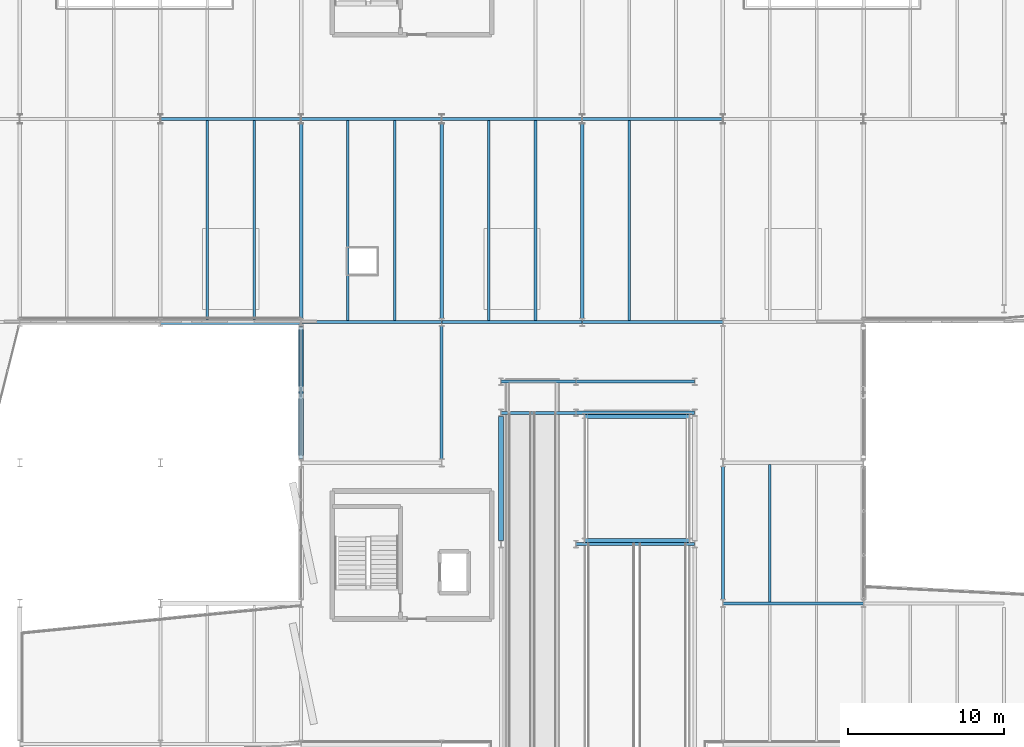
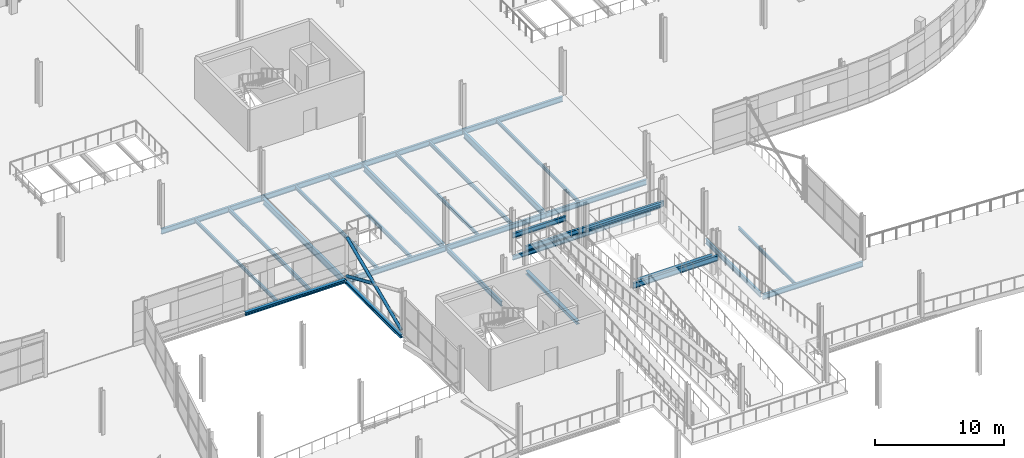
# One storey, part 73 of 135: 32 beams, 2 members.
"""IFC4 building model written with IfcOpenShell, lengths in metres."""

from ifc_helpers import new_model, si_unit, direction, frame, origin, origin_2d, place, context, subcontext, project, spatial, hollow_circle, i_section, extrude, material, material_profile, profile_set, type_object, element, save


model = new_model("IFC4")

# Units and contexts
model_context = context("Model", 3, precision=1e-05, world=origin(), true_north=direction((0.0, 1.0)))
body_context = subcontext(model_context, "Body", "Model", "MODEL_VIEW")
ifc_project = project(units=[si_unit("LENGTHUNIT", "METRE"), si_unit("AREAUNIT", "SQUARE_METRE"), si_unit("VOLUMEUNIT", "CUBIC_METRE"), si_unit("PLANEANGLEUNIT", "RADIAN"), si_unit("MASSUNIT", "GRAM", prefix="KILO")], contexts=[model_context])

# Site, building, storey
site_placement = place(None, origin())
site = spatial("IfcSite", under=ifc_project, at=site_placement, CompositionType="ELEMENT")
building_placement = place(site_placement, origin())
building = spatial("IfcBuilding", under=site, at=building_placement, Name="Deido Ridge Mobility Hub", CompositionType="ELEMENT")
storey_placement = place(building_placement, frame((0.0, 0.0, 4.199951171875)))
storey = spatial("IfcBuildingStorey", under=building, at=storey_placement, Name="L01", CompositionType="ELEMENT", Elevation=4.199951171875)

# Beams
ifc_material_1 = material(Name="Steel S355J2 EN 10025-2", Category="steel")
ifc_material_profile_1 = material_profile(ifc_material_1, i_section(OverallWidth=0.300048828125, OverallDepth=0.330078125, WebThickness=0.009521484375, FlangeThickness=0.0166015625, FilletRadius=0.027099609375, at=origin_2d()), Name="HEA 340")
ifc_profile_set_1 = profile_set([ifc_material_profile_1], Name="Steel S355J2 EN 10025-2")
beam_type_1 = type_object("IfcBeamType", Name="BM-HEA340", PredefinedType="BEAM", material=ifc_profile_set_1)
beam_1_placement = place(storey_placement, frame((84.800048828125, 67.02490234375, -0.4150390625), z_axis=(0.0, 1.0, 0.0), x_axis=(-1.0, 0.0, 0.0)))
element("IfcBeam", 1, at=beam_1_placement, inside=storey, type_object=beam_type_1, Name="Floor beam B6", PredefinedType="BEAM", context=body_context, shape_type="SweptSolid", body=[
    extrude(i_section(OverallWidth=0.300048828125, OverallDepth=0.330078125, WebThickness=0.009521484375, FlangeThickness=0.0166015625, FilletRadius=0.027099609375, at=origin_2d()), origin(), (0.0, 0.0, 1.0), 7.9501953125),
])
for number, where, z_axis, x_axis, name in (
    (2, (90.14990234375, 67.0, 1.7099609375), (1.0, 0.0, 0.0), (0.0, 1.0, 0.0), "Vehicle ramp half-landing trimmer beam L01"),
    (3, (90.14990234375, 75.0, 1.7099609375), (1.0, 0.0, 0.0), (0.0, 1.0, 0.0), "Vehicle ramp half-landing trimmer beam L01"),
):
    element("IfcBeam", number, at=place(storey_placement, frame(where, z_axis=z_axis, x_axis=x_axis)), inside=storey, type_object=beam_type_1, Name=name, PredefinedType="BEAM", context=body_context, shape_type="SweptSolid", body=[
        extrude(i_section(OverallWidth=0.300048828125, OverallDepth=0.330078125, WebThickness=0.009521484375, FlangeThickness=0.0166015625, FilletRadius=0.027099609375, at=origin_2d()), origin(), (0.0, 0.0, 1.0), 6.7001953125),
    ])
ifc_material_profile_2 = material_profile(ifc_material_1, i_section(OverallWidth=0.179931640625, OverallDepth=0.39990234375, WebThickness=0.008544921875, FlangeThickness=0.013427734375, FilletRadius=0.02099609375, at=origin_2d()), Name="IPE 400")
ifc_profile_set_2 = profile_set([ifc_material_profile_2], Name="Steel S355J2 EN 10025-2")
beam_type_2 = type_object("IfcBeamType", Name="BM-IPE400", PredefinedType="BEAM", material=ifc_profile_set_2)
beam_2_placement = place(storey_placement, frame((84.806884765625, 77.199951171875, -0.449951171875), z_axis=(1.0, 0.0, 0.0), x_axis=(0.0, 1.0, 0.0)))
element("IfcBeam", 4, at=beam_2_placement, inside=storey, type_object=beam_type_2, Name="Floor beam B5", PredefinedType="BEAM", context=body_context, shape_type="SweptSolid", body=[
    extrude(i_section(OverallWidth=0.179931640625, OverallDepth=0.39990234375, WebThickness=0.008544921875, FlangeThickness=0.013427734375, FilletRadius=0.02099609375, at=origin_2d()), origin(), (0.0, 0.0, 1.0), 4.7861328125),
])
beam_3_placement = place(storey_placement, frame((89.60693359375, 77.199951171875, -0.449951171875), z_axis=(1.0, 0.0, 0.0), x_axis=(0.0, 1.0, 0.0)))
element("IfcBeam", 5, at=beam_3_placement, inside=storey, type_object=beam_type_2, Name="Floor beam B5", PredefinedType="BEAM", context=body_context, shape_type="SweptSolid", body=[
    extrude(i_section(OverallWidth=0.179931640625, OverallDepth=0.39990234375, WebThickness=0.008544921875, FlangeThickness=0.013427734375, FilletRadius=0.02099609375, at=origin_2d()), origin(), (0.0, 0.0, 1.0), 7.586181640625),
])
ifc_material_profile_3 = material_profile(ifc_material_1, i_section(OverallWidth=0.18994140625, OverallDepth=0.449951171875, WebThickness=0.009521484375, FlangeThickness=0.0146484375, FilletRadius=0.02099609375, at=origin_2d()), Name="IPE 450")
ifc_profile_set_3 = profile_set([ifc_material_profile_3], Name="Steel S355J2 EN 10025-2")
beam_type_3 = type_object("IfcBeamType", Name="BM-IPE450", PredefinedType="BEAM", material=ifc_profile_set_3)
for number, where, z_axis, x_axis, name in (
    (6, (81.0, 72.25, -0.474853515625), (0.0, 1.0, 0.0), (-1.0, 0.0, 0.0), "Floor beam B4"),
    (7, (99.0, 63.25, -0.474853515625), (0.0, 1.0, 0.0), (-1.0, 0.0, 0.0), "Floor beam B4"),
):
    element("IfcBeam", number, at=place(storey_placement, frame(where, z_axis=z_axis, x_axis=x_axis)), inside=storey, type_object=beam_type_3, Name=name, PredefinedType="BEAM", context=body_context, shape_type="SweptSolid", body=[
        extrude(i_section(OverallWidth=0.18994140625, OverallDepth=0.449951171875, WebThickness=0.009521484375, FlangeThickness=0.0146484375, FilletRadius=0.02099609375, at=origin_2d()), origin(), (0.0, 0.0, 1.0), 8.5),
    ])
for number, where, z_axis, x_axis, name in (
    (8, (84.805908203125, 75.199951171875, 1.66015625), (1.0, 0.0, 0.0), (0.0, 1.0, 0.0), "Ramp landing beam B4"),
    (9, (84.805908203125, 77.199951171875, 1.66015625), (1.0, 0.0, 0.0), (0.0, 1.0, 0.0), "Ramp landing beam B4"),
):
    element("IfcBeam", number, at=place(storey_placement, frame(where, z_axis=z_axis, x_axis=x_axis)), inside=storey, type_object=beam_type_3, Name=name, PredefinedType="BEAM", context=body_context, shape_type="SweptSolid", body=[
        extrude(i_section(OverallWidth=0.18994140625, OverallDepth=0.449951171875, WebThickness=0.009521484375, FlangeThickness=0.0146484375, FilletRadius=0.02099609375, at=origin_2d()), origin(), (0.0, 0.0, 1.0), 4.7880859375),
    ])
ifc_material_profile_4 = material_profile(ifc_material_1, i_section(OverallWidth=0.199951171875, OverallDepth=0.5, WebThickness=0.01025390625, FlangeThickness=0.01611328125, FilletRadius=0.02099609375, at=origin_2d()), Name="IPE 500")
ifc_profile_set_4 = profile_set([ifc_material_profile_4], Name="Steel S355J2 EN 10025-2")
beam_type_4 = type_object("IfcBeamType", Name="BM-IPE500", PredefinedType="BEAM", material=ifc_profile_set_4)
for number, where, z_axis, x_axis, name in (
    (10, (99.007080078125, 63.0, -0.5), (1.0, 0.0, 0.0), (0.0, 1.0, 0.0), "Floor beam B3"),
    (11, (72.007080078125, 81.0, -0.5), (1.0, 0.0, 0.0), (0.0, 1.0, 0.0), "Floor beam B3"),
    (12, (81.007080078125, 81.0, -0.5), (1.0, 0.0, 0.0), (0.0, 1.0, 0.0), "Floor beam B3"),
    (13, (90.007080078125, 81.0, -0.5), (1.0, 0.0, 0.0), (0.0, 1.0, 0.0), "Floor beam B3"),
):
    element("IfcBeam", number, at=place(storey_placement, frame(where, z_axis=z_axis, x_axis=x_axis)), inside=storey, type_object=beam_type_4, Name=name, PredefinedType="BEAM", context=body_context, shape_type="SweptSolid", body=[
        extrude(i_section(OverallWidth=0.199951171875, OverallDepth=0.5, WebThickness=0.01025390625, FlangeThickness=0.01611328125, FilletRadius=0.02099609375, at=origin_2d()), origin(), (0.0, 0.0, 1.0), 8.98583984375),
    ])
for number, where, z_axis, x_axis, name in (
    (14, (63.0078125, 94.0, -0.5), (1.0, 0.0, 0.0), (0.0, 1.0, 0.0), "Floor beam B3"),
    (15, (72.0078125, 94.0, -0.5), (1.0, 0.0, 0.0), (0.0, 1.0, 0.0), "Floor beam B3"),
    (16, (81.0078125, 94.0, -0.5), (1.0, 0.0, 0.0), (0.0, 1.0, 0.0), "Floor beam B3"),
    (17, (90.0078125, 94.0, -0.5), (1.0, 0.0, 0.0), (0.0, 1.0, 0.0), "Floor beam B3"),
):
    element("IfcBeam", number, at=place(storey_placement, frame(where, z_axis=z_axis, x_axis=x_axis)), inside=storey, type_object=beam_type_4, Name=name, PredefinedType="BEAM", context=body_context, shape_type="SweptSolid", body=[
        extrude(i_section(OverallWidth=0.199951171875, OverallDepth=0.5, WebThickness=0.01025390625, FlangeThickness=0.01611328125, FilletRadius=0.02099609375, at=origin_2d()), origin(), (0.0, 0.0, 1.0), 8.984375),
    ])
for number, where, z_axis, x_axis, name in (
    (18, (89.60595703125, 66.800048828125, 1.550048828125), (1.0, 0.0, 0.0), (0.0, 1.0, 0.0), "Ramp landing beam B3"),
    (19, (89.60595703125, 75.199951171875, 1.625), (1.0, 0.0, 0.0), (0.0, 1.0, 0.0), "Ramp landing beam B3"),
):
    element("IfcBeam", number, at=place(storey_placement, frame(where, z_axis=z_axis, x_axis=x_axis)), inside=storey, type_object=beam_type_4, Name=name, PredefinedType="BEAM", context=body_context, shape_type="SweptSolid", body=[
        extrude(i_section(OverallWidth=0.199951171875, OverallDepth=0.5, WebThickness=0.01025390625, FlangeThickness=0.01611328125, FilletRadius=0.02099609375, at=origin_2d()), origin(), (0.0, 0.0, 1.0), 7.588134765625),
    ])
ifc_material_profile_5 = material_profile(ifc_material_1, i_section(OverallWidth=0.219970703125, OverallDepth=0.60009765625, WebThickness=0.011962890625, FlangeThickness=0.01904296875, FilletRadius=0.02392578125, at=origin_2d()), Name="IPE 600")
ifc_profile_set_5 = profile_set([ifc_material_profile_5], Name="Steel S355J2 EN 10025-2")
beam_type_5 = type_object("IfcBeamType", Name="BM-IPE600", PredefinedType="BEAM", material=ifc_profile_set_5)
for number, where, z_axis, x_axis, name in (
    (20, (72.0, 81.25, -0.550048828125), (0.0, 1.0, 0.0), (-1.0, 0.0, 0.0), "Floor beam B1"),
    (21, (81.0, 81.25, -0.550048828125), (0.0, 1.0, 0.0), (-1.0, 0.0, 0.0), "Floor beam B1"),
    (22, (90.0, 81.25, -0.550048828125), (0.0, 1.0, 0.0), (-1.0, 0.0, 0.0), "Floor beam B1"),
):
    element("IfcBeam", number, at=place(storey_placement, frame(where, z_axis=z_axis, x_axis=x_axis)), inside=storey, type_object=beam_type_5, Name=name, PredefinedType="BEAM", context=body_context, shape_type="SweptSolid", body=[
        extrude(i_section(OverallWidth=0.219970703125, OverallDepth=0.60009765625, WebThickness=0.011962890625, FlangeThickness=0.01904296875, FilletRadius=0.02392578125, at=origin_2d()), origin(), (0.0, 0.0, 1.0), 12.449951171875),
    ])
ifc_material_profile_6 = material_profile(ifc_material_1, i_section(OverallWidth=0.14990234375, OverallDepth=0.300048828125, WebThickness=0.007080078125, FlangeThickness=0.0107421875, FilletRadius=0.014892578125, at=origin_2d()), Name="IPE 300")
ifc_profile_set_6 = profile_set([ifc_material_profile_6], Name="Steel S355J2 EN 10025-2")
beam_type_6 = type_object("IfcBeamType", Name="JST-IPE300", PredefinedType="JOIST", material=ifc_profile_set_6)
beam_4_placement = place(storey_placement, frame((102.0, 63.10009765625, -0.39990234375), z_axis=(0.0, 1.0, 0.0), x_axis=(-1.0, 0.0, 0.0)))
element("IfcBeam", 23, at=beam_4_placement, inside=storey, type_object=beam_type_6, Name="Composite joist J3", PredefinedType="JOIST", context=body_context, shape_type="SweptSolid", body=[
    extrude(i_section(OverallWidth=0.14990234375, OverallDepth=0.300048828125, WebThickness=0.007080078125, FlangeThickness=0.0107421875, FilletRadius=0.014892578125, at=origin_2d()), origin(), (0.0, 0.0, 1.0), 8.7998046875),
])
ifc_material_profile_7 = material_profile(ifc_material_1, i_section(OverallWidth=0.159912109375, OverallDepth=0.330078125, WebThickness=0.007568359375, FlangeThickness=0.011474609375, FilletRadius=0.01806640625, at=origin_2d()), Name="IPE 330")
ifc_profile_set_7 = profile_set([ifc_material_profile_7], Name="Steel S355J2 EN 10025-2")
beam_type_7 = type_object("IfcBeamType", Name="JST-IPE330", PredefinedType="JOIST", material=ifc_profile_set_7)
beam_5_placement = place(storey_placement, frame((66.0, 81.14990234375, -0.4150390625), z_axis=(0.0, 1.0, 0.0), x_axis=(-1.0, 0.0, 0.0)))
element("IfcBeam", 24, at=beam_5_placement, inside=storey, type_object=beam_type_7, Name="Composite joist J2", PredefinedType="JOIST", context=body_context, shape_type="SweptSolid", body=[
    extrude(i_section(OverallWidth=0.159912109375, OverallDepth=0.330078125, WebThickness=0.007568359375, FlangeThickness=0.011474609375, FilletRadius=0.01806640625, at=origin_2d()), origin(), (0.0, 0.0, 1.0), 12.75),
])
for number, where, z_axis, x_axis, name in (
    (25, (75.0, 81.10009765625, -0.4150390625), (0.0, 1.0, 0.0), (-1.0, 0.0, 0.0), "Composite joist J2"),
    (26, (84.0, 81.10009765625, -0.4150390625), (0.0, 1.0, 0.0), (-1.0, 0.0, 0.0), "Composite joist J2"),
    (27, (93.0, 81.10009765625, -0.4150390625), (0.0, 1.0, 0.0), (-1.0, 0.0, 0.0), "Composite joist J2"),
):
    element("IfcBeam", number, at=place(storey_placement, frame(where, z_axis=z_axis, x_axis=x_axis)), inside=storey, type_object=beam_type_7, Name=name, PredefinedType="JOIST", context=body_context, shape_type="SweptSolid", body=[
        extrude(i_section(OverallWidth=0.159912109375, OverallDepth=0.330078125, WebThickness=0.007568359375, FlangeThickness=0.011474609375, FilletRadius=0.01806640625, at=origin_2d()), origin(), (0.0, 0.0, 1.0), 12.7998046875),
    ])
ifc_material_profile_8 = material_profile(ifc_material_1, i_section(OverallWidth=0.169921875, OverallDepth=0.360107421875, WebThickness=0.008056640625, FlangeThickness=0.0126953125, FilletRadius=0.01806640625, at=origin_2d()), Name="IPE 360")
ifc_profile_set_8 = profile_set([ifc_material_profile_8], Name="Steel S355J2 EN 10025-2")
beam_type_8 = type_object("IfcBeamType", Name="JST-IPE360", PredefinedType="JOIST", material=ifc_profile_set_8)
beam_6_placement = place(storey_placement, frame((69.0, 81.14990234375, -0.429931640625), z_axis=(0.0, 1.0, 0.0), x_axis=(-1.0, 0.0, 0.0)))
element("IfcBeam", 28, at=beam_6_placement, inside=storey, type_object=beam_type_8, Name="Composite joist J1", PredefinedType="JOIST", context=body_context, shape_type="SweptSolid", body=[
    extrude(i_section(OverallWidth=0.169921875, OverallDepth=0.360107421875, WebThickness=0.008056640625, FlangeThickness=0.0126953125, FilletRadius=0.01806640625, at=origin_2d()), origin(), (0.0, 0.0, 1.0), 12.75),
])
for number, where, z_axis, x_axis, name in (
    (29, (78.0, 81.10009765625, -0.429931640625), (0.0, 1.0, 0.0), (-1.0, 0.0, 0.0), "Composite joist J1"),
    (30, (87.0, 81.10009765625, -0.429931640625), (0.0, 1.0, 0.0), (-1.0, 0.0, 0.0), "Composite joist J1"),
):
    element("IfcBeam", number, at=place(storey_placement, frame(where, z_axis=z_axis, x_axis=x_axis)), inside=storey, type_object=beam_type_8, Name=name, PredefinedType="JOIST", context=body_context, shape_type="SweptSolid", body=[
        extrude(i_section(OverallWidth=0.169921875, OverallDepth=0.360107421875, WebThickness=0.008056640625, FlangeThickness=0.0126953125, FilletRadius=0.01806640625, at=origin_2d()), origin(), (0.0, 0.0, 1.0), 12.7998046875),
    ])

# Members
ifc_material_2 = material(Name="Steel S355J2H EN 10210-1", Category="steel")
ifc_material_profile_9 = material_profile(ifc_material_2, hollow_circle(Radius=0.136474609375, WallThickness=0.012451171875, at=origin_2d()), Name="CHS 273x12.5")
ifc_profile_set_9 = profile_set([ifc_material_profile_9], Name="Steel S355J2H EN 10210-1")
member_type = type_object("IfcMemberType", Name="MEM-BRC-CHS273", PredefinedType="BRACE", material=ifc_profile_set_9)
member_1_placement = place(storey_placement, frame((72.0, 72.300048828125, 0.179931640625), z_axis=(0.0, 0.91754849034, 0.397623902545), x_axis=(-1.0, 0.0, 0.0)))
element("IfcMember", 31, at=member_1_placement, inside=storey, type_object=member_type, Name="Continuous X-brace diagonal BR1", PredefinedType="BRACE", context=body_context, shape_type="SweptSolid", body=[
    extrude(hollow_circle(Radius=0.136474609375, WallThickness=0.012451171875, at=origin_2d()), origin(), (0.0, 0.0, 1.0), 9.15478515625),
])
member_2_placement = place(storey_placement, frame((72.0, 80.699951171875, 0.179931640625), z_axis=(0.0, -0.917550833654, 0.397618495119), x_axis=(1.0, 0.0, 0.0)))
element("IfcMember", 32, at=member_2_placement, inside=storey, type_object=member_type, Name="Split X-brace diagonal segment BR1", PredefinedType="BRACE", context=body_context, shape_type="SweptSolid", body=[
    extrude(hollow_circle(Radius=0.136474609375, WallThickness=0.012451171875, at=origin_2d()), origin(), (0.0, 0.0, 1.0), 4.33740234375),
])

# Beams
ifc_material_profile_10 = material_profile(ifc_material_1, i_section(OverallWidth=0.300048828125, OverallDepth=0.300048828125, WebThickness=0.010986328125, FlangeThickness=0.01904296875, FilletRadius=0.027099609375, at=origin_2d()), Name="HEB 300")
ifc_profile_set_10 = profile_set([ifc_material_profile_10], Name="Steel S355J2 EN 10025-2")
beam_type_9 = type_object("IfcBeamType", Name="SPD-HEB300", PredefinedType="SPANDREL", material=ifc_profile_set_10)
beam_7_placement = place(storey_placement, frame((63.007080078125, 81.0, -0.39990234375), z_axis=(1.0, 0.0, 0.0), x_axis=(0.0, 1.0, 0.0)))
element("IfcBeam", 33, at=beam_7_placement, inside=storey, type_object=beam_type_9, Name="Floor beam SP1", PredefinedType="SPANDREL", context=body_context, shape_type="SweptSolid", body=[
    extrude(i_section(OverallWidth=0.300048828125, OverallDepth=0.300048828125, WebThickness=0.010986328125, FlangeThickness=0.01904296875, FilletRadius=0.027099609375, at=origin_2d()), origin(), (0.0, 0.0, 1.0), 8.98583984375),
])
beam_8_placement = place(storey_placement, frame((72.0, 72.25, -0.39990234375), z_axis=(0.0, 1.0, 0.0), x_axis=(-1.0, 0.0, 0.0)))
element("IfcBeam", 34, at=beam_8_placement, inside=storey, type_object=beam_type_9, Name="Floor beam SP1", PredefinedType="SPANDREL", context=body_context, shape_type="SweptSolid", body=[
    extrude(i_section(OverallWidth=0.300048828125, OverallDepth=0.300048828125, WebThickness=0.010986328125, FlangeThickness=0.01904296875, FilletRadius=0.027099609375, at=origin_2d()), origin(), (0.0, 0.0, 1.0), 8.5),
])

save(model, "model.ifc")
